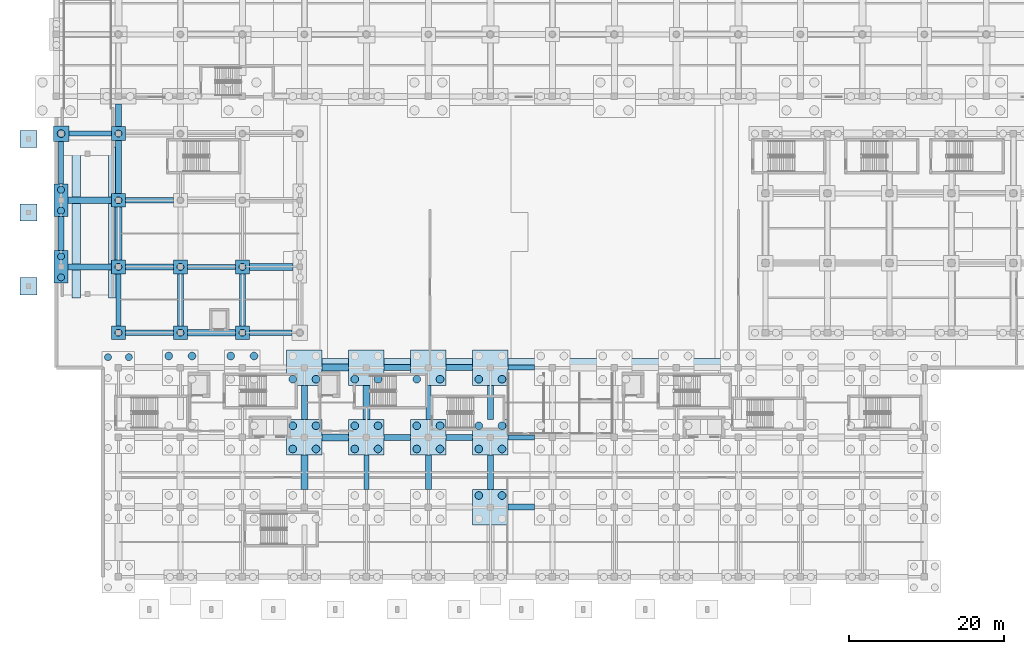
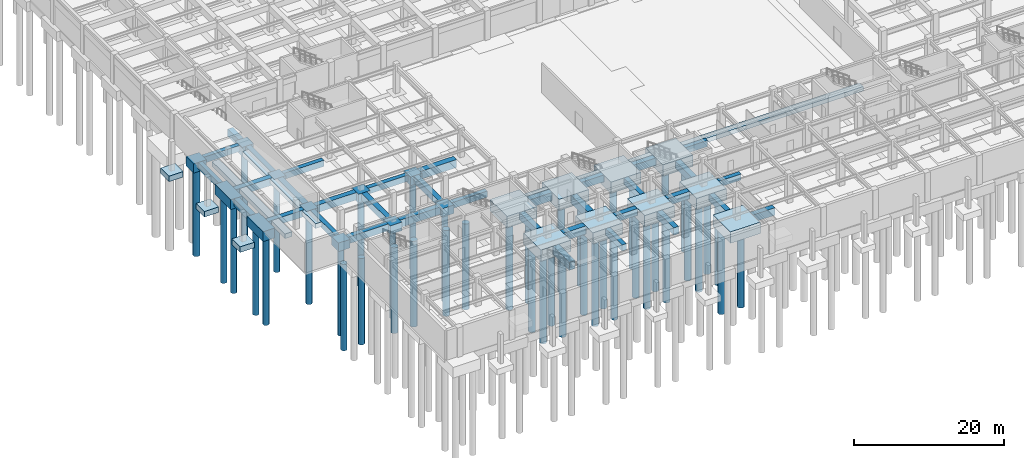
# One storey, part 2 of 48: 61 footings, 45 piles.
"""IFC4 building model written with IfcOpenShell, lengths in metres."""

from ifc_helpers import new_model, si_unit, direction, frame, origin, origin_2d, place, context, subcontext, project, spatial, polyline, rectangle, circle, outline, extrude, material, layer, layer_set, material_profile, profile_set, type_object, element, save


model = new_model("IFC4")

# Units and contexts
model_context = context("Model", 3, precision=1e-05, world=origin(), true_north=direction((0.0, 1.0)))
body_context = subcontext(model_context, "Body", "Model", "MODEL_VIEW")
ifc_project = project(units=[si_unit("LENGTHUNIT", "METRE"), si_unit("AREAUNIT", "SQUARE_METRE"), si_unit("VOLUMEUNIT", "CUBIC_METRE"), si_unit("PLANEANGLEUNIT", "RADIAN"), si_unit("MASSUNIT", "GRAM", prefix="KILO")], contexts=[model_context])

# Site, building, storey
site_placement = place(None, origin())
site = spatial("IfcSite", under=ifc_project, at=site_placement, CompositionType="ELEMENT")
building_placement = place(site_placement, origin())
building = spatial("IfcBuilding", under=site, at=building_placement, Name="Tlacozan Convention Centre", CompositionType="ELEMENT")
storey_placement = place(building_placement, frame((0.0, 0.0, -4.800048828125)))
storey = spatial("IfcBuildingStorey", under=building, at=storey_placement, Name="B01", CompositionType="ELEMENT", Elevation=-4.800048828125)

# Footings
ifc_material = material(Name="Concrete C35/45", Category="concrete")
ifc_layer_1 = layer(ifc_material, 0.699951171875)
ifc_layer_set_1 = layer_set([ifc_layer_1], Name="Concrete C35/45")
footing_type_1 = type_object("IfcFootingType", Name="Courtyard Strip Footing 1000x700", PredefinedType="STRIP_FOOTING", material=ifc_layer_set_1)
footing_1_placement = place(storey_placement, frame((0.0, 0.0, -0.699951171875)))
element("IfcFooting", 1, at=footing_1_placement, inside=storey, type_object=footing_type_1, Name="Strip Footing SF-C1", PredefinedType="STRIP_FOOTING", context=body_context, shape_type="SweptSolid", body=[
    extrude(outline(polyline([(34.0, 27.14990234375), (86.0, 27.14990234375), (86.0, 28.14990234375), (34.0, 28.14990234375), (34.0, 27.14990234375)])), origin(), (0.0, 0.0, 1.0), 0.699951171875),
])
ifc_layer_2 = layer(ifc_material, 1.0)
ifc_layer_set_2 = layer_set([ifc_layer_2], Name="Concrete C35/45")
footing_type_2 = type_object("IfcFootingType", Name="Foundation Tie Beam 650x1000", PredefinedType="FOOTING_BEAM", material=ifc_layer_set_2)
footing_2_placement = place(storey_placement, frame((0.0, 0.0, -1.0)))
element("IfcFooting", 2, at=footing_2_placement, inside=storey, type_object=footing_type_2, Name="Foundation Tie Beam X-33", PredefinedType="FOOTING_BEAM", context=body_context, shape_type="SweptSolid", body=[
    extrude(outline(polyline([(58.300048828125, 17.675048828125), (61.699951171875, 17.675048828125), (61.699951171875, 18.324951171875), (58.300048828125, 18.324951171875), (58.300048828125, 17.675048828125)])), origin(), (0.0, 0.0, 1.0), 1.0),
])
footing_3_placement = place(storey_placement, frame((0.0, 0.0, -1.0)))
element("IfcFooting", 3, at=footing_3_placement, inside=storey, type_object=footing_type_2, Name="Foundation Tie Beam X-53", PredefinedType="FOOTING_BEAM", context=body_context, shape_type="SweptSolid", body=[
    extrude(outline(polyline([(58.300048828125, 26.675048828125), (61.699951171875, 26.675048828125), (61.699951171875, 27.324951171875), (58.300048828125, 27.324951171875), (58.300048828125, 26.675048828125)])), origin(), (0.0, 0.0, 1.0), 1.0),
])
footing_4_placement = place(storey_placement, frame((0.0, 0.0, -1.0)))
element("IfcFooting", 4, at=footing_4_placement, inside=storey, type_object=footing_type_2, Name="Foundation Tie Beam X-69", PredefinedType="FOOTING_BEAM", context=body_context, shape_type="SweptSolid", body=[
    extrude(outline(polyline([(24.89990234375, 31.175048828125), (30.39990234375, 31.175048828125), (30.39990234375, 31.824951171875), (24.89990234375, 31.824951171875), (24.89990234375, 31.175048828125)])), origin(), (0.0, 0.0, 1.0), 1.0),
])
footing_5_placement = place(storey_placement, frame((0.0, 0.0, -1.0)))
element("IfcFooting", 5, at=footing_5_placement, inside=storey, type_object=footing_type_2, Name="Foundation Tie Beam X-85", PredefinedType="FOOTING_BEAM", context=body_context, shape_type="SweptSolid", body=[
    extrude(outline(polyline([(16.89990234375, 39.675048828125), (23.10009765625, 39.675048828125), (23.10009765625, 40.324951171875), (16.89990234375, 40.324951171875), (16.89990234375, 39.675048828125)])), origin(), (0.0, 0.0, 1.0), 1.0),
])
footing_6_placement = place(storey_placement, frame((0.0, 0.0, -1.0)))
element("IfcFooting", 6, at=footing_6_placement, inside=storey, type_object=footing_type_2, Name="Foundation Tie Beam X-101", PredefinedType="FOOTING_BEAM", context=body_context, shape_type="SweptSolid", body=[
    extrude(outline(polyline([(8.89990234375, 48.27490234375), (15.10009765625, 48.27490234375), (15.10009765625, 48.925048828125), (8.89990234375, 48.925048828125), (8.89990234375, 48.27490234375)])), origin(), (0.0, 0.0, 1.0), 1.0),
])
footing_7_placement = place(storey_placement, frame((0.0, 0.0, -1.0)))
element("IfcFooting", 7, at=footing_7_placement, inside=storey, type_object=footing_type_2, Name="Foundation Tie Beam X-117", PredefinedType="FOOTING_BEAM", context=body_context, shape_type="SweptSolid", body=[
    extrude(outline(polyline([(1.60009765625, 56.875), (7.10009765625, 56.875), (7.10009765625, 57.52490234375), (1.60009765625, 57.52490234375), (1.60009765625, 56.875)])), origin(), (0.0, 0.0, 1.0), 1.0),
])
footing_8_placement = place(storey_placement, frame((0.0, 0.0, -1.0)))
element("IfcFooting", 8, at=footing_8_placement, inside=storey, type_object=footing_type_2, Name="Foundation Tie Beam Y-325", PredefinedType="FOOTING_BEAM", context=body_context, shape_type="SweptSolid", body=[
    extrude(outline(polyline([(0.27490234375, 50.699951171875), (0.925048828125, 50.699951171875), (0.925048828125, 56.199951171875), (0.27490234375, 56.199951171875), (0.27490234375, 50.699951171875)])), origin(), (0.0, 0.0, 1.0), 1.0),
])
footing_9_placement = place(storey_placement, frame((0.0, 0.0, -1.0)))
element("IfcFooting", 9, at=footing_9_placement, inside=storey, type_object=footing_type_2, Name="Foundation Tie Beam Y-329", PredefinedType="FOOTING_BEAM", context=body_context, shape_type="SweptSolid", body=[
    extrude(outline(polyline([(7.675048828125, 32.39990234375), (8.324951171875, 32.39990234375), (8.324951171875, 39.10009765625), (7.675048828125, 39.10009765625), (7.675048828125, 32.39990234375)])), origin(), (0.0, 0.0, 1.0), 1.0),
])
footing_10_placement = place(storey_placement, frame((0.0, 0.0, -1.0)))
element("IfcFooting", 10, at=footing_10_placement, inside=storey, type_object=footing_type_2, Name="Foundation Tie Beam Y-385", PredefinedType="FOOTING_BEAM", context=body_context, shape_type="SweptSolid", body=[
    extrude(outline(polyline([(39.675048828125, 11.300048828125), (40.324951171875, 11.300048828125), (40.324951171875, 15.699951171875), (39.675048828125, 15.699951171875), (39.675048828125, 11.300048828125)])), origin(), (0.0, 0.0, 1.0), 1.0),
])
footing_11_placement = place(storey_placement, frame((0.0, 0.0, -1.0)))
element("IfcFooting", 11, at=footing_11_placement, inside=storey, type_object=footing_type_2, Name="Foundation Tie Beam Y-397", PredefinedType="FOOTING_BEAM", context=body_context, shape_type="SweptSolid", body=[
    extrude(outline(polyline([(47.675048828125, 20.300048828125), (48.324951171875, 20.300048828125), (48.324951171875, 24.699951171875), (47.675048828125, 24.699951171875), (47.675048828125, 20.300048828125)])), origin(), (0.0, 0.0, 1.0), 1.0),
])
ifc_layer_3 = layer(ifc_material, 1.10009765625)
ifc_layer_set_3 = layer_set([ifc_layer_3], Name="Concrete C35/45")
footing_type_3 = type_object("IfcFootingType", Name="Foundation Tie Beam 750x1100", PredefinedType="FOOTING_BEAM", material=ifc_layer_set_3)
footing_12_placement = place(storey_placement, frame((0.0, 0.0, -1.099853515625)))
element("IfcFooting", 12, at=footing_12_placement, inside=storey, type_object=footing_type_3, Name="Foundation Tie Beam X-31", PredefinedType="FOOTING_BEAM", context=body_context, shape_type="SweptSolid", body=[
    extrude(outline(polyline([(42.300048828125, 17.625), (45.699951171875, 17.625), (45.699951171875, 18.375), (42.300048828125, 18.375), (42.300048828125, 17.625)])), origin(), (0.0, 0.0, 1.0), 1.099853515625),
])
footing_13_placement = place(storey_placement, frame((0.0, 0.0, -1.099853515625)))
element("IfcFooting", 13, at=footing_13_placement, inside=storey, type_object=footing_type_3, Name="Foundation Tie Beam X-51", PredefinedType="FOOTING_BEAM", context=body_context, shape_type="SweptSolid", body=[
    extrude(outline(polyline([(42.300048828125, 26.625), (45.699951171875, 26.625), (45.699951171875, 27.375), (42.300048828125, 27.375), (42.300048828125, 26.625)])), origin(), (0.0, 0.0, 1.0), 1.099853515625),
])
footing_14_placement = place(storey_placement, frame((0.0, 0.0, -1.099853515625)))
element("IfcFooting", 14, at=footing_14_placement, inside=storey, type_object=footing_type_3, Name="Foundation Tie Beam X-67", PredefinedType="FOOTING_BEAM", context=body_context, shape_type="SweptSolid", body=[
    extrude(outline(polyline([(8.89990234375, 31.125), (15.10009765625, 31.125), (15.10009765625, 31.875), (8.89990234375, 31.875), (8.89990234375, 31.125)])), origin(), (0.0, 0.0, 1.0), 1.099853515625),
])
footing_15_placement = place(storey_placement, frame((0.0, 0.0, -1.099853515625)))
element("IfcFooting", 15, at=footing_15_placement, inside=storey, type_object=footing_type_3, Name="Foundation Tie Beam X-83", PredefinedType="FOOTING_BEAM", context=body_context, shape_type="SweptSolid", body=[
    extrude(outline(polyline([(1.5, 39.625), (7.10009765625, 39.625), (7.10009765625, 40.375), (1.5, 40.375), (1.5, 39.625)])), origin(), (0.0, 0.0, 1.0), 1.099853515625),
])
footing_16_placement = place(storey_placement, frame((0.0, 0.0, -1.099853515625)))
element("IfcFooting", 16, at=footing_16_placement, inside=storey, type_object=footing_type_3, Name="Foundation Tie Beam Y-331", PredefinedType="FOOTING_BEAM", context=body_context, shape_type="SweptSolid", body=[
    extrude(outline(polyline([(7.625, 49.5), (8.375, 49.5), (8.375, 56.300048828125), (7.625, 56.300048828125), (7.625, 49.5)])), origin(), (0.0, 0.0, 1.0), 1.099853515625),
])
footing_17_placement = place(storey_placement, frame((0.0, 0.0, -1.099853515625)))
element("IfcFooting", 17, at=footing_17_placement, inside=storey, type_object=footing_type_3, Name="Foundation Tie Beam Y-359", PredefinedType="FOOTING_BEAM", context=body_context, shape_type="SweptSolid", body=[
    extrude(outline(polyline([(23.625, 32.39990234375), (24.375, 32.39990234375), (24.375, 39.10009765625), (23.625, 39.10009765625), (23.625, 32.39990234375)])), origin(), (0.0, 0.0, 1.0), 1.099853515625),
])
footing_18_placement = place(storey_placement, frame((0.0, 0.0, -1.099853515625)))
element("IfcFooting", 18, at=footing_18_placement, inside=storey, type_object=footing_type_3, Name="Foundation Tie Beam Y-375", PredefinedType="FOOTING_BEAM", context=body_context, shape_type="SweptSolid", body=[
    extrude(outline(polyline([(31.625, 20.300048828125), (32.375, 20.300048828125), (32.375, 24.699951171875), (31.625, 24.699951171875), (31.625, 20.300048828125)])), origin(), (0.0, 0.0, 1.0), 1.099853515625),
])
footing_19_placement = place(storey_placement, frame((0.0, 0.0, -1.099853515625)))
element("IfcFooting", 19, at=footing_19_placement, inside=storey, type_object=footing_type_3, Name="Foundation Tie Beam Y-407", PredefinedType="FOOTING_BEAM", context=body_context, shape_type="SweptSolid", body=[
    extrude(outline(polyline([(55.625, 11.300048828125), (56.375, 11.300048828125), (56.375, 15.699951171875), (55.625, 15.699951171875), (55.625, 11.300048828125)])), origin(), (0.0, 0.0, 1.0), 1.099853515625),
])
ifc_layer_4 = layer(ifc_material, 1.199951171875)
ifc_layer_set_4 = layer_set([ifc_layer_4], Name="Concrete C35/45")
footing_type_4 = type_object("IfcFootingType", Name="Foundation Tie Beam 800x1200", PredefinedType="FOOTING_BEAM", material=ifc_layer_set_4)
footing_20_placement = place(storey_placement, frame((0.0, 0.0, -1.199951171875)))
element("IfcFooting", 20, at=footing_20_placement, inside=storey, type_object=footing_type_4, Name="Foundation Tie Beam X-20", PredefinedType="FOOTING_BEAM", context=body_context, shape_type="SweptSolid", body=[
    extrude(outline(polyline([(58.300048828125, 8.60009765625), (61.699951171875, 8.60009765625), (61.699951171875, 9.39990234375), (58.300048828125, 9.39990234375), (58.300048828125, 8.60009765625)])), origin(), (0.0, 0.0, 1.0), 1.199951171875),
])
footing_21_placement = place(storey_placement, frame((0.0, 0.0, -1.199951171875)))
element("IfcFooting", 21, at=footing_21_placement, inside=storey, type_object=footing_type_4, Name="Foundation Tie Beam X-32", PredefinedType="FOOTING_BEAM", context=body_context, shape_type="SweptSolid", body=[
    extrude(outline(polyline([(50.300048828125, 17.60009765625), (53.699951171875, 17.60009765625), (53.699951171875, 18.39990234375), (50.300048828125, 18.39990234375), (50.300048828125, 17.60009765625)])), origin(), (0.0, 0.0, 1.0), 1.199951171875),
])
footing_22_placement = place(storey_placement, frame((0.0, 0.0, -1.199951171875)))
element("IfcFooting", 22, at=footing_22_placement, inside=storey, type_object=footing_type_4, Name="Foundation Tie Beam X-52", PredefinedType="FOOTING_BEAM", context=body_context, shape_type="SweptSolid", body=[
    extrude(outline(polyline([(50.300048828125, 26.60009765625), (53.699951171875, 26.60009765625), (53.699951171875, 27.39990234375), (50.300048828125, 27.39990234375), (50.300048828125, 26.60009765625)])), origin(), (0.0, 0.0, 1.0), 1.199951171875),
])
footing_23_placement = place(storey_placement, frame((0.0, 0.0, -1.199951171875)))
element("IfcFooting", 23, at=footing_23_placement, inside=storey, type_object=footing_type_4, Name="Foundation Tie Beam X-68", PredefinedType="FOOTING_BEAM", context=body_context, shape_type="SweptSolid", body=[
    extrude(outline(polyline([(16.89990234375, 31.10009765625), (23.10009765625, 31.10009765625), (23.10009765625, 31.89990234375), (16.89990234375, 31.89990234375), (16.89990234375, 31.10009765625)])), origin(), (0.0, 0.0, 1.0), 1.199951171875),
])
footing_24_placement = place(storey_placement, frame((0.0, 0.0, -1.199951171875)))
element("IfcFooting", 24, at=footing_24_placement, inside=storey, type_object=footing_type_4, Name="Foundation Tie Beam X-84", PredefinedType="FOOTING_BEAM", context=body_context, shape_type="SweptSolid", body=[
    extrude(outline(polyline([(8.89990234375, 39.60009765625), (15.10009765625, 39.60009765625), (15.10009765625, 40.39990234375), (8.89990234375, 40.39990234375), (8.89990234375, 39.60009765625)])), origin(), (0.0, 0.0, 1.0), 1.199951171875),
])
footing_25_placement = place(storey_placement, frame((0.0, 0.0, -1.199951171875)))
element("IfcFooting", 25, at=footing_25_placement, inside=storey, type_object=footing_type_4, Name="Foundation Tie Beam X-100", PredefinedType="FOOTING_BEAM", context=body_context, shape_type="SweptSolid", body=[
    extrude(outline(polyline([(1.5, 48.199951171875), (7.10009765625, 48.199951171875), (7.10009765625, 49.0), (1.5, 49.0), (1.5, 48.199951171875)])), origin(), (0.0, 0.0, 1.0), 1.199951171875),
])
footing_26_placement = place(storey_placement, frame((0.0, 0.0, -1.199951171875)))
element("IfcFooting", 26, at=footing_26_placement, inside=storey, type_object=footing_type_4, Name="Foundation Tie Beam Y-324", PredefinedType="FOOTING_BEAM", context=body_context, shape_type="SweptSolid", body=[
    extrude(outline(polyline([(0.199951171875, 42.10009765625), (1.0, 42.10009765625), (1.0, 46.5), (0.199951171875, 46.5), (0.199951171875, 42.10009765625)])), origin(), (0.0, 0.0, 1.0), 1.199951171875),
])
footing_27_placement = place(storey_placement, frame((0.0, 0.0, -1.199951171875)))
element("IfcFooting", 27, at=footing_27_placement, inside=storey, type_object=footing_type_4, Name="Foundation Tie Beam Y-332", PredefinedType="FOOTING_BEAM", context=body_context, shape_type="SweptSolid", body=[
    extrude(outline(polyline([(7.60009765625, 58.10009765625), (8.39990234375, 58.10009765625), (8.39990234375, 61.0), (7.60009765625, 61.0), (7.60009765625, 58.10009765625)])), origin(), (0.0, 0.0, 1.0), 1.199951171875),
])
footing_28_placement = place(storey_placement, frame((0.0, 0.0, -1.199951171875)))
element("IfcFooting", 28, at=footing_28_placement, inside=storey, type_object=footing_type_4, Name="Foundation Tie Beam Y-344", PredefinedType="FOOTING_BEAM", context=body_context, shape_type="SweptSolid", body=[
    extrude(outline(polyline([(15.60009765625, 32.39990234375), (16.39990234375, 32.39990234375), (16.39990234375, 39.10009765625), (15.60009765625, 39.10009765625), (15.60009765625, 32.39990234375)])), origin(), (0.0, 0.0, 1.0), 1.199951171875),
])
footing_29_placement = place(storey_placement, frame((0.0, 0.0, -1.199951171875)))
element("IfcFooting", 29, at=footing_29_placement, inside=storey, type_object=footing_type_4, Name="Foundation Tie Beam Y-396", PredefinedType="FOOTING_BEAM", context=body_context, shape_type="SweptSolid", body=[
    extrude(outline(polyline([(47.60009765625, 11.300048828125), (48.39990234375, 11.300048828125), (48.39990234375, 15.699951171875), (47.60009765625, 15.699951171875), (47.60009765625, 11.300048828125)])), origin(), (0.0, 0.0, 1.0), 1.199951171875),
])
footing_30_placement = place(storey_placement, frame((0.0, 0.0, -1.199951171875)))
element("IfcFooting", 30, at=footing_30_placement, inside=storey, type_object=footing_type_4, Name="Foundation Tie Beam Y-408", PredefinedType="FOOTING_BEAM", context=body_context, shape_type="SweptSolid", body=[
    extrude(outline(polyline([(55.60009765625, 20.300048828125), (56.39990234375, 20.300048828125), (56.39990234375, 24.699951171875), (55.60009765625, 24.699951171875), (55.60009765625, 20.300048828125)])), origin(), (0.0, 0.0, 1.0), 1.199951171875),
])
ifc_layer_5 = layer(ifc_material, 1.300048828125)
ifc_layer_set_5 = layer_set([ifc_layer_5], Name="Concrete C35/45")
footing_type_5 = type_object("IfcFootingType", Name="Foundation Tie Beam 900x1300", PredefinedType="FOOTING_BEAM", material=ifc_layer_set_5)
footing_31_placement = place(storey_placement, frame((0.0, 0.0, -1.300048828125)))
element("IfcFooting", 31, at=footing_31_placement, inside=storey, type_object=footing_type_5, Name="Foundation Tie Beam X-30", PredefinedType="FOOTING_BEAM", context=body_context, shape_type="SweptSolid", body=[
    extrude(outline(polyline([(34.300048828125, 17.550048828125), (37.699951171875, 17.550048828125), (37.699951171875, 18.449951171875), (34.300048828125, 18.449951171875), (34.300048828125, 17.550048828125)])), origin(), (0.0, 0.0, 1.0), 1.300048828125),
])
footing_32_placement = place(storey_placement, frame((0.0, 0.0, -1.300048828125)))
element("IfcFooting", 32, at=footing_32_placement, inside=storey, type_object=footing_type_5, Name="Foundation Tie Beam X-50", PredefinedType="FOOTING_BEAM", context=body_context, shape_type="SweptSolid", body=[
    extrude(outline(polyline([(34.300048828125, 26.550048828125), (37.699951171875, 26.550048828125), (37.699951171875, 27.449951171875), (34.300048828125, 27.449951171875), (34.300048828125, 26.550048828125)])), origin(), (0.0, 0.0, 1.0), 1.300048828125),
])
footing_33_placement = place(storey_placement, frame((0.0, 0.0, -1.300048828125)))
element("IfcFooting", 33, at=footing_33_placement, inside=storey, type_object=footing_type_5, Name="Foundation Tie Beam X-86", PredefinedType="FOOTING_BEAM", context=body_context, shape_type="SweptSolid", body=[
    extrude(outline(polyline([(24.89990234375, 39.550048828125), (30.5, 39.550048828125), (30.5, 40.449951171875), (24.89990234375, 40.449951171875), (24.89990234375, 39.550048828125)])), origin(), (0.0, 0.0, 1.0), 1.300048828125),
])
footing_34_placement = place(storey_placement, frame((0.0, 0.0, -1.300048828125)))
element("IfcFooting", 34, at=footing_34_placement, inside=storey, type_object=footing_type_5, Name="Foundation Tie Beam Y-330", PredefinedType="FOOTING_BEAM", context=body_context, shape_type="SweptSolid", body=[
    extrude(outline(polyline([(7.550048828125, 40.89990234375), (8.449951171875, 40.89990234375), (8.449951171875, 47.699951171875), (7.550048828125, 47.699951171875), (7.550048828125, 40.89990234375)])), origin(), (0.0, 0.0, 1.0), 1.300048828125),
])
footing_35_placement = place(storey_placement, frame((0.0, 0.0, -1.300048828125)))
element("IfcFooting", 35, at=footing_35_placement, inside=storey, type_object=footing_type_5, Name="Foundation Tie Beam Y-374", PredefinedType="FOOTING_BEAM", context=body_context, shape_type="SweptSolid", body=[
    extrude(outline(polyline([(31.550048828125, 11.300048828125), (32.449951171875, 11.300048828125), (32.449951171875, 15.699951171875), (31.550048828125, 15.699951171875), (31.550048828125, 11.300048828125)])), origin(), (0.0, 0.0, 1.0), 1.300048828125),
])
footing_36_placement = place(storey_placement, frame((0.0, 0.0, -1.300048828125)))
element("IfcFooting", 36, at=footing_36_placement, inside=storey, type_object=footing_type_5, Name="Foundation Tie Beam Y-386", PredefinedType="FOOTING_BEAM", context=body_context, shape_type="SweptSolid", body=[
    extrude(outline(polyline([(39.550048828125, 20.300048828125), (40.449951171875, 20.300048828125), (40.449951171875, 24.699951171875), (39.550048828125, 24.699951171875), (39.550048828125, 20.300048828125)])), origin(), (0.0, 0.0, 1.0), 1.300048828125),
])
ifc_layer_6 = layer(ifc_material, 0.89990234375)
ifc_layer_set_6 = layer_set([ifc_layer_6], Name="Concrete C35/45")
footing_type_6 = type_object("IfcFootingType", Name="Pad Footing 2200x2200x900", PredefinedType="PAD_FOOTING", material=ifc_layer_set_6)
for number, where, z_axis, x_axis, name in (
    (37, (-3.60009765625, 37.5, -0.89990234375), (0.0, 0.0, 1.0), (1.0, 0.0, 0.0), "Dock Apron Pad Footing 1"),
    (38, (-3.60009765625, 47.0, -0.89990234375), (0.0, 0.0, 1.0), (1.0, 0.0, 0.0), "Dock Apron Pad Footing 2"),
    (39, (-3.60009765625, 56.5, -0.89990234375), (0.0, 0.0, 1.0), (1.0, 0.0, 0.0), "Dock Apron Pad Footing 3"),
):
    element("IfcFooting", number, at=place(storey_placement, frame(where, z_axis=z_axis, x_axis=x_axis)), inside=storey, type_object=footing_type_6, Name=name, PredefinedType="PAD_FOOTING", context=body_context, shape_type="SweptSolid", body=[
        extrude(rectangle(XDim=2.199951171875, YDim=2.199951171875, at=origin_2d()), origin(), (0.0, 0.0, 1.0), 0.89990234375),
    ])
ifc_layer_7 = layer(ifc_material, 1.39990234375)
ifc_layer_set_7 = layer_set([ifc_layer_7], Name="Concrete C35/45")
footing_type_7 = type_object("IfcFootingType", Name="Pile Cap 1P 1800x1800x1400", PredefinedType="PILE_CAP", material=ifc_layer_set_7)
for number, where, z_axis, x_axis, name in (
    (40, (8.0, 31.5, -1.39990234375), (0.0, 0.0, 1.0), (1.0, 0.0, 0.0), "Pile Cap PC-01 (17)"),
    (41, (8.0, 40.0, -1.39990234375), (0.0, 0.0, 1.0), (1.0, 0.0, 0.0), "Pile Cap PC-01 (18)"),
    (42, (8.0, 48.60009765625, -1.39990234375), (0.0, 0.0, 1.0), (1.0, 0.0, 0.0), "Pile Cap PC-01 (19)"),
    (43, (8.0, 57.199951171875, -1.39990234375), (0.0, 0.0, 1.0), (1.0, 0.0, 0.0), "Pile Cap PC-01 (20)"),
    (44, (16.0, 31.5, -1.39990234375), (0.0, 0.0, 1.0), (1.0, 0.0, 0.0), "Pile Cap PC-01 (34)"),
    (45, (16.0, 40.0, -1.39990234375), (0.0, 0.0, 1.0), (1.0, 0.0, 0.0), "Pile Cap PC-01 (35)"),
    (46, (24.0, 31.5, -1.39990234375), (0.0, 0.0, 1.0), (1.0, 0.0, 0.0), "Pile Cap PC-01 (51)"),
    (47, (24.0, 40.0, -1.39990234375), (0.0, 0.0, 1.0), (1.0, 0.0, 0.0), "Pile Cap PC-01 (52)"),
):
    element("IfcFooting", number, at=place(storey_placement, frame(where, z_axis=z_axis, x_axis=x_axis)), inside=storey, type_object=footing_type_7, Name=name, PredefinedType="PILE_CAP", context=body_context, shape_type="SweptSolid", body=[
        extrude(rectangle(XDim=1.800048828125, YDim=1.800048828125, at=origin_2d()), origin(), (0.0, 0.0, 1.0), 1.39990234375),
    ])
ifc_layer_8 = layer(ifc_material, 1.5)
ifc_layer_set_8 = layer_set([ifc_layer_8], Name="Concrete C35/45")
footing_type_8 = type_object("IfcFootingType", Name="Pile Cap 1P 2000x2000x1500", PredefinedType="PILE_CAP", material=ifc_layer_set_8)
footing_37_placement = place(storey_placement, frame((0.60009765625, 57.199951171875, -1.5), z_axis=(0.0, 0.0, 1.0), x_axis=(1.0, 0.0, 0.0)))
element("IfcFooting", 48, at=footing_37_placement, inside=storey, type_object=footing_type_8, Name="Pile Cap PC-02 (12)", PredefinedType="PILE_CAP", context=body_context, shape_type="SweptSolid", body=[
    extrude(rectangle(XDim=2.0, YDim=2.0, at=origin_2d()), origin(), (0.0, 0.0, 1.0), 1.5),
])
ifc_layer_9 = layer(ifc_material, 1.60009765625)
ifc_layer_set_9 = layer_set([ifc_layer_9], Name="Concrete C35/45")
footing_type_9 = type_object("IfcFootingType", Name="Pile Cap 2P 1800x4200x1600", PredefinedType="PILE_CAP", material=ifc_layer_set_9)
for number, where, z_axis, x_axis, name in (
    (49, (0.60009765625, 40.0, -1.60009765625), (0.0, 0.0, 1.0), (1.0, 0.0, 0.0), "Pile Cap PC-04 (10)"),
    (50, (0.60009765625, 48.60009765625, -1.60009765625), (0.0, 0.0, 1.0), (1.0, 0.0, 0.0), "Pile Cap PC-04 (11)"),
):
    element("IfcFooting", number, at=place(storey_placement, frame(where, z_axis=z_axis, x_axis=x_axis)), inside=storey, type_object=footing_type_9, Name=name, PredefinedType="PILE_CAP", context=body_context, shape_type="SweptSolid", body=[
        extrude(rectangle(XDim=1.800048828125, YDim=4.199951171875, at=origin_2d()), origin(), (0.0, 0.0, 1.0), 1.60009765625),
    ])
ifc_layer_10 = layer(ifc_material, 1.85009765625)
ifc_layer_set_10 = layer_set([ifc_layer_10], Name="Concrete C35/45")
footing_type_10 = type_object("IfcFootingType", Name="Pile Cap 4P 4600x4600x1850", PredefinedType="PILE_CAP", material=ifc_layer_set_10)
for number, where, z_axis, x_axis, name in (
    (51, (32.0, 18.0, -1.85009765625), (0.0, 0.0, 1.0), (1.0, 0.0, 0.0), "Pile Cap PC-07 (70)"),
    (52, (32.0, 27.0, -1.85009765625), (0.0, 0.0, 1.0), (1.0, 0.0, 0.0), "Pile Cap PC-07 (71)"),
    (53, (40.0, 18.0, -1.85009765625), (0.0, 0.0, 1.0), (1.0, 0.0, 0.0), "Pile Cap PC-07 (83)"),
    (54, (40.0, 27.0, -1.85009765625), (0.0, 0.0, 1.0), (1.0, 0.0, 0.0), "Pile Cap PC-07 (84)"),
    (55, (48.0, 18.0, -1.85009765625), (0.0, 0.0, 1.0), (1.0, 0.0, 0.0), "Pile Cap PC-07 (96)"),
    (56, (48.0, 27.0, -1.85009765625), (0.0, 0.0, 1.0), (1.0, 0.0, 0.0), "Pile Cap PC-07 (97)"),
    (57, (56.0, 9.0, -1.85009765625), (0.0, 0.0, 1.0), (1.0, 0.0, 0.0), "Pile Cap PC-07 (108)"),
    (58, (56.0, 18.0, -1.85009765625), (0.0, 0.0, 1.0), (1.0, 0.0, 0.0), "Pile Cap PC-07 (109)"),
    (59, (56.0, 27.0, -1.85009765625), (0.0, 0.0, 1.0), (1.0, 0.0, 0.0), "Pile Cap PC-07 (110)"),
):
    element("IfcFooting", number, at=place(storey_placement, frame(where, z_axis=z_axis, x_axis=x_axis)), inside=storey, type_object=footing_type_10, Name=name, PredefinedType="PILE_CAP", context=body_context, shape_type="SweptSolid", body=[
        extrude(rectangle(XDim=4.60009765625, YDim=4.60009765625, at=origin_2d()), origin(), (0.0, 0.0, 1.0), 1.85009765625),
    ])

# Piles
ifc_material_profile_1 = material_profile(ifc_material, circle(Radius=0.5, at=origin_2d()), Name="PILE D1000")
ifc_profile_set_1 = profile_set([ifc_material_profile_1], Name="Concrete C35/45")
pile_type_1 = type_object("IfcPileType", Name="Pile D1000 Bored", PredefinedType="BORED", material=ifc_profile_set_1)
pile_placement = place(storey_placement, frame((0.60009765625, 57.199951171875, -1.3798828125), z_axis=(0.0, 0.0, -1.0), x_axis=(1.0, 0.0, 0.0)))
element("IfcPile", 60, at=pile_placement, inside=storey, type_object=pile_type_1, Name="Bored Pile 27", PredefinedType="BORED", context=body_context, shape_type="SweptSolid", body=[
    extrude(circle(Radius=0.5, at=origin_2d()), origin(), (0.0, 0.0, 1.0), 14.320068359375),
])
for number, where, z_axis, x_axis, name in (
    (61, (14.5, 28.5, -1.72998046875), (0.0, 0.0, -1.0), (1.0, 0.0, 0.0), "Bored Pile 71"),
    (62, (17.5, 28.5, -1.72998046875), (0.0, 0.0, -1.0), (1.0, 0.0, 0.0), "Bored Pile 72"),
    (63, (22.5, 28.5, -1.72998046875), (0.0, 0.0, -1.0), (1.0, 0.0, 0.0), "Bored Pile 100"),
    (64, (25.5, 28.5, -1.72998046875), (0.0, 0.0, -1.0), (1.0, 0.0, 0.0), "Bored Pile 101"),
    (65, (30.5, 16.5, -1.72998046875), (0.0, 0.0, -1.0), (1.0, 0.0, 0.0), "Bored Pile 133"),
    (66, (33.5, 16.5, -1.72998046875), (0.0, 0.0, -1.0), (1.0, 0.0, 0.0), "Bored Pile 134"),
    (67, (30.5, 19.5, -1.72998046875), (0.0, 0.0, -1.0), (1.0, 0.0, 0.0), "Bored Pile 135"),
    (68, (33.5, 19.5, -1.72998046875), (0.0, 0.0, -1.0), (1.0, 0.0, 0.0), "Bored Pile 136"),
    (69, (30.5, 25.5, -1.72998046875), (0.0, 0.0, -1.0), (1.0, 0.0, 0.0), "Bored Pile 137"),
    (70, (33.5, 25.5, -1.72998046875), (0.0, 0.0, -1.0), (1.0, 0.0, 0.0), "Bored Pile 138"),
    (71, (38.5, 16.5, -1.72998046875), (0.0, 0.0, -1.0), (1.0, 0.0, 0.0), "Bored Pile 158"),
    (72, (41.5, 16.5, -1.72998046875), (0.0, 0.0, -1.0), (1.0, 0.0, 0.0), "Bored Pile 159"),
    (73, (38.5, 19.5, -1.72998046875), (0.0, 0.0, -1.0), (1.0, 0.0, 0.0), "Bored Pile 160"),
    (74, (41.5, 19.5, -1.72998046875), (0.0, 0.0, -1.0), (1.0, 0.0, 0.0), "Bored Pile 161"),
    (75, (38.5, 25.5, -1.72998046875), (0.0, 0.0, -1.0), (1.0, 0.0, 0.0), "Bored Pile 162"),
    (76, (41.5, 25.5, -1.72998046875), (0.0, 0.0, -1.0), (1.0, 0.0, 0.0), "Bored Pile 163"),
    (77, (46.5, 16.5, -1.72998046875), (0.0, 0.0, -1.0), (1.0, 0.0, 0.0), "Bored Pile 183"),
    (78, (49.5, 16.5, -1.72998046875), (0.0, 0.0, -1.0), (1.0, 0.0, 0.0), "Bored Pile 184"),
    (79, (46.5, 19.5, -1.72998046875), (0.0, 0.0, -1.0), (1.0, 0.0, 0.0), "Bored Pile 185"),
    (80, (49.5, 19.5, -1.72998046875), (0.0, 0.0, -1.0), (1.0, 0.0, 0.0), "Bored Pile 186"),
    (81, (46.5, 25.5, -1.72998046875), (0.0, 0.0, -1.0), (1.0, 0.0, 0.0), "Bored Pile 187"),
    (82, (49.5, 25.5, -1.72998046875), (0.0, 0.0, -1.0), (1.0, 0.0, 0.0), "Bored Pile 188"),
    (83, (54.5, 10.5, -1.72998046875), (0.0, 0.0, -1.0), (1.0, 0.0, 0.0), "Bored Pile 210"),
    (84, (57.5, 10.5, -1.72998046875), (0.0, 0.0, -1.0), (1.0, 0.0, 0.0), "Bored Pile 211"),
    (85, (54.5, 16.5, -1.72998046875), (0.0, 0.0, -1.0), (1.0, 0.0, 0.0), "Bored Pile 212"),
    (86, (57.5, 16.5, -1.72998046875), (0.0, 0.0, -1.0), (1.0, 0.0, 0.0), "Bored Pile 213"),
    (87, (54.5, 19.5, -1.72998046875), (0.0, 0.0, -1.0), (1.0, 0.0, 0.0), "Bored Pile 214"),
    (88, (57.5, 19.5, -1.72998046875), (0.0, 0.0, -1.0), (1.0, 0.0, 0.0), "Bored Pile 215"),
    (89, (54.5, 25.5, -1.72998046875), (0.0, 0.0, -1.0), (1.0, 0.0, 0.0), "Bored Pile 216"),
    (90, (57.5, 25.5, -1.72998046875), (0.0, 0.0, -1.0), (1.0, 0.0, 0.0), "Bored Pile 217"),
):
    element("IfcPile", number, at=place(storey_placement, frame(where, z_axis=z_axis, x_axis=x_axis)), inside=storey, type_object=pile_type_1, Name=name, PredefinedType="BORED", context=body_context, shape_type="SweptSolid", body=[
        extrude(circle(Radius=0.5, at=origin_2d()), origin(), (0.0, 0.0, 1.0), 13.969970703125),
    ])
ifc_material_profile_2 = material_profile(ifc_material, circle(Radius=0.449951171875, at=origin_2d()), Name="PILE D900")
ifc_profile_set_2 = profile_set([ifc_material_profile_2], Name="Concrete C35/45")
pile_type_2 = type_object("IfcPileType", Name="Pile D900 Bored", PredefinedType="BORED", material=ifc_profile_set_2)
for number, where, z_axis, x_axis, name in (
    (91, (0.60009765625, 38.64990234375, -1.47998046875), (0.0, 0.0, -1.0), (1.0, 0.0, 0.0), "Bored Pile 23"),
    (92, (0.60009765625, 41.35009765625, -1.47998046875), (0.0, 0.0, -1.0), (1.0, 0.0, 0.0), "Bored Pile 24"),
    (93, (0.60009765625, 47.25, -1.47998046875), (0.0, 0.0, -1.0), (1.0, 0.0, 0.0), "Bored Pile 25"),
    (94, (0.60009765625, 49.949951171875, -1.47998046875), (0.0, 0.0, -1.0), (1.0, 0.0, 0.0), "Bored Pile 26"),
):
    element("IfcPile", number, at=place(storey_placement, frame(where, z_axis=z_axis, x_axis=x_axis)), inside=storey, type_object=pile_type_2, Name=name, PredefinedType="BORED", context=body_context, shape_type="SweptSolid", body=[
        extrude(circle(Radius=0.449951171875, at=origin_2d()), origin(), (0.0, 0.0, 1.0), 14.219970703125),
    ])
for number, where, z_axis, x_axis, name in (
    (95, (6.64990234375, 28.35009765625, -1.6298828125), (0.0, 0.0, -1.0), (1.0, 0.0, 0.0), "Bored Pile 42"),
    (96, (9.35009765625, 28.35009765625, -1.6298828125), (0.0, 0.0, -1.0), (1.0, 0.0, 0.0), "Bored Pile 43"),
):
    element("IfcPile", number, at=place(storey_placement, frame(where, z_axis=z_axis, x_axis=x_axis)), inside=storey, type_object=pile_type_2, Name=name, PredefinedType="BORED", context=body_context, shape_type="SweptSolid", body=[
        extrude(circle(Radius=0.449951171875, at=origin_2d()), origin(), (0.0, 0.0, 1.0), 14.070068359375),
    ])
for number, where, z_axis, x_axis, name in (
    (97, (8.0, 31.5, -1.280029296875), (0.0, 0.0, -1.0), (1.0, 0.0, 0.0), "Bored Pile 44"),
    (98, (8.0, 40.0, -1.280029296875), (0.0, 0.0, -1.0), (1.0, 0.0, 0.0), "Bored Pile 45"),
    (99, (8.0, 48.60009765625, -1.280029296875), (0.0, 0.0, -1.0), (1.0, 0.0, 0.0), "Bored Pile 46"),
    (100, (8.0, 57.199951171875, -1.280029296875), (0.0, 0.0, -1.0), (1.0, 0.0, 0.0), "Bored Pile 47"),
    (101, (16.0, 31.5, -1.280029296875), (0.0, 0.0, -1.0), (1.0, 0.0, 0.0), "Bored Pile 73"),
    (102, (16.0, 40.0, -1.280029296875), (0.0, 0.0, -1.0), (1.0, 0.0, 0.0), "Bored Pile 74"),
    (103, (24.0, 31.5, -1.280029296875), (0.0, 0.0, -1.0), (1.0, 0.0, 0.0), "Bored Pile 102"),
    (104, (24.0, 40.0, -1.280029296875), (0.0, 0.0, -1.0), (1.0, 0.0, 0.0), "Bored Pile 103"),
):
    element("IfcPile", number, at=place(storey_placement, frame(where, z_axis=z_axis, x_axis=x_axis)), inside=storey, type_object=pile_type_2, Name=name, PredefinedType="BORED", context=body_context, shape_type="SweptSolid", body=[
        extrude(circle(Radius=0.449951171875, at=origin_2d()), origin(), (0.0, 0.0, 1.0), 14.419921875),
    ])

# Footings
ifc_layer_11 = layer(ifc_material, 0.75)
ifc_layer_set_11 = layer_set([ifc_layer_11], Name="Concrete C35/45")
footing_type_11 = type_object("IfcFootingType", Name="Ramp Wall Strip Footing 1100x750", PredefinedType="STRIP_FOOTING", material=ifc_layer_set_11)
footing_38_placement = place(storey_placement, frame((0.0, 0.0, -0.75)))
element("IfcFooting", 105, at=footing_38_placement, inside=storey, type_object=footing_type_11, Name="Strip Footing SF-R1", PredefinedType="STRIP_FOOTING", context=body_context, shape_type="SweptSolid", body=[
    extrude(outline(polyline([(2.0, 36.0), (3.10009765625, 36.0), (3.10009765625, 55.5), (2.0, 55.5), (2.0, 36.0)])), origin(), (0.0, 0.0, 1.0), 0.75),
])
footing_39_placement = place(storey_placement, frame((0.0, 0.0, -0.75)))
element("IfcFooting", 106, at=footing_39_placement, inside=storey, type_object=footing_type_11, Name="Strip Footing SF-R2", PredefinedType="STRIP_FOOTING", context=body_context, shape_type="SweptSolid", body=[
    extrude(outline(polyline([(6.699951171875, 36.0), (7.800048828125, 36.0), (7.800048828125, 55.5), (6.699951171875, 55.5), (6.699951171875, 36.0)])), origin(), (0.0, 0.0, 1.0), 0.75),
])

save(model, "model.ifc")
